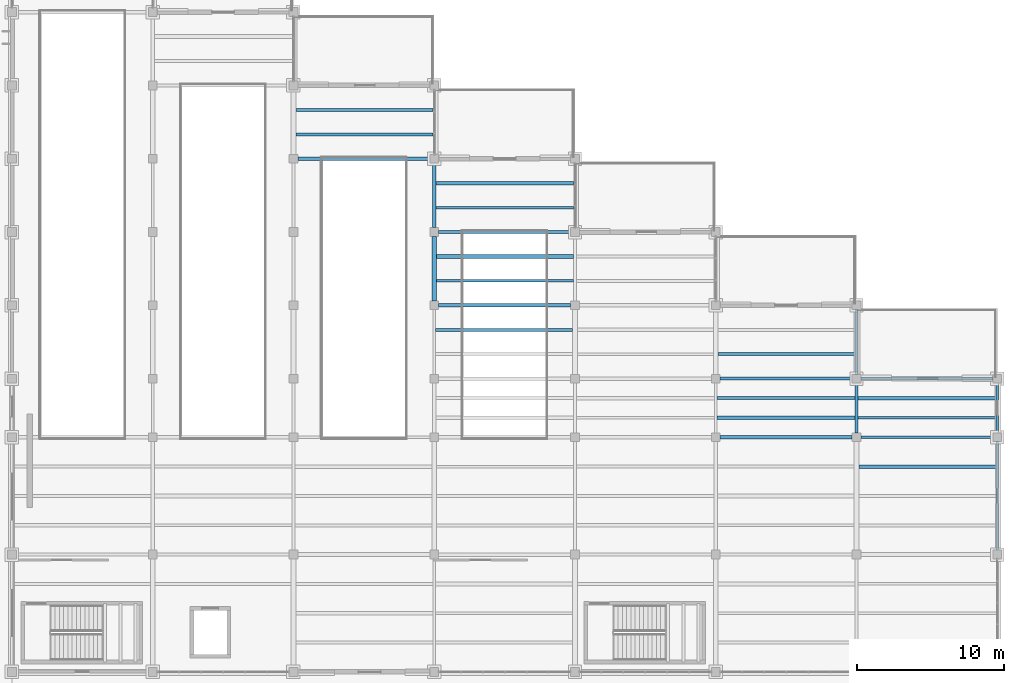
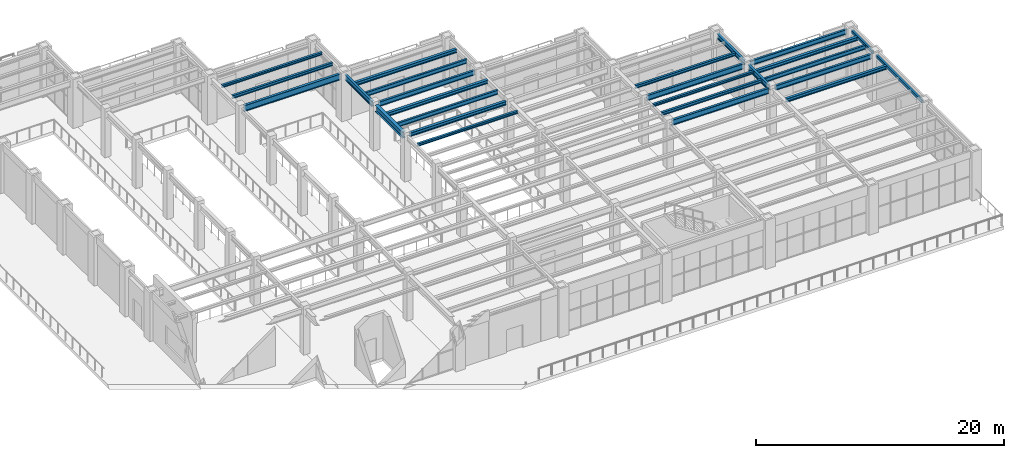
# One storey, part 41 of 83: 26 beams.
"""IFC4 building model written with IfcOpenShell, lengths in metres."""

from ifc_helpers import new_model, si_unit, direction, frame, origin, origin_2d, place, context, subcontext, project, spatial, hollow_rectangle, i_section, extrude, material, material_profile, profile_set, type_object, element, save


model = new_model("IFC4")

# Units and contexts
model_context = context("Model", 3, precision=1e-05, world=origin(), true_north=direction((0.0, 1.0)))
body_context = subcontext(model_context, "Body", "Model", "MODEL_VIEW")
ifc_project = project(units=[si_unit("LENGTHUNIT", "METRE"), si_unit("AREAUNIT", "SQUARE_METRE"), si_unit("VOLUMEUNIT", "CUBIC_METRE"), si_unit("PLANEANGLEUNIT", "RADIAN"), si_unit("MASSUNIT", "GRAM", prefix="KILO")], contexts=[model_context])

# Site, building, storey
site_placement = place(None, origin())
site = spatial("IfcSite", under=ifc_project, at=site_placement, CompositionType="ELEMENT")
building_placement = place(site_placement, origin())
building = spatial("IfcBuilding", under=site, at=building_placement, Name="Mavantir Sound Aquarium", CompositionType="ELEMENT")
storey_placement = place(building_placement, frame((0.0, 0.0, 10.5)))
storey = spatial("IfcBuildingStorey", under=building, at=storey_placement, Name="L02", CompositionType="ELEMENT", Elevation=10.5)

# Beams
ifc_material_1 = material(Name="Hollow Structural Steel ASTM A500 GrC", Category="steel")
ifc_material_profile_1 = material_profile(ifc_material_1, hollow_rectangle(XDim=0.199951171875, YDim=0.300048828125, WallThickness=0.012451171875, InnerFilletRadius=0.012451171875, OuterFilletRadius=0.02490234375, at=origin_2d()), Name="RHS 300X200X12.5")
ifc_profile_set_1 = profile_set([ifc_material_profile_1], Name="Hollow Structural Steel ASTM A500 GrC")
beam_type_1 = type_object("IfcBeamType", Name="BM-RHS300-E", PredefinedType="SPANDREL", material=ifc_profile_set_1)
beam_1_placement = place(storey_placement, frame((175.199951171875, 49.10009765625, 4.3359375), z_axis=(0.0, 1.0, 0.0), x_axis=(-1.0, 0.0, 0.0)))
element("IfcBeam", 1, at=beam_1_placement, inside=storey, type_object=beam_type_1, Name="L02 primary girder SS-R30 1601", PredefinedType="SPANDREL", context=body_context, shape_type="SweptSolid", body=[
    extrude(hollow_rectangle(XDim=0.199951171875, YDim=0.300048828125, WallThickness=0.012451171875, InnerFilletRadius=0.012451171875, OuterFilletRadius=0.02490234375, at=origin_2d()), origin(), (0.0, 0.0, 1.0), 7.39990234375),
])
beam_2_placement = place(storey_placement, frame((175.199951171875, 57.10009765625, 4.3359375), z_axis=(0.0, 1.0, 0.0), x_axis=(-1.0, 0.0, 0.0)))
element("IfcBeam", 2, at=beam_2_placement, inside=storey, type_object=beam_type_1, Name="L02 primary girder SS-R30 1602", PredefinedType="SPANDREL", context=body_context, shape_type="SweptSolid", body=[
    extrude(hollow_rectangle(XDim=0.199951171875, YDim=0.300048828125, WallThickness=0.012451171875, InnerFilletRadius=0.012451171875, OuterFilletRadius=0.02490234375, at=origin_2d()), origin(), (0.0, 0.0, 1.0), 3.39990234375),
])
ifc_material_2 = material(Name="Structural Steel ASTM A992 Gr50", Category="steel")
ifc_material_profile_2 = material_profile(ifc_material_2, i_section(OverallWidth=0.202880859375, OverallDepth=0.251953125, WebThickness=0.008056640625, FlangeThickness=0.013427734375, FilletRadius=0.011962890625, at=origin_2d()), Name="W250X58")
ifc_profile_set_2 = profile_set([ifc_material_profile_2], Name="Structural Steel ASTM A992 Gr50")
beam_type_2 = type_object("IfcBeamType", Name="BM-W250X58-I", PredefinedType="JOIST", material=ifc_profile_set_2)
beam_3_placement = place(storey_placement, frame((156.096923828125, 59.466796875, 4.360107421875), z_axis=(1.0, 0.0, 0.0), x_axis=(0.0, 1.0, 0.0)))
element("IfcBeam", 3, at=beam_3_placement, inside=storey, type_object=beam_type_2, Name="L02 secondary floor joist SJ-25 932", PredefinedType="JOIST", context=body_context, shape_type="SweptSolid", body=[
    extrude(i_section(OverallWidth=0.202880859375, OverallDepth=0.251953125, WebThickness=0.008056640625, FlangeThickness=0.013427734375, FilletRadius=0.011962890625, at=origin_2d()), origin(), (0.0, 0.0, 1.0), 9.39697265625),
])
beam_4_placement = place(storey_placement, frame((136.89697265625, 64.13330078125, 4.360107421875), z_axis=(1.0, 0.0, 0.0), x_axis=(0.0, 1.0, 0.0)))
element("IfcBeam", 4, at=beam_4_placement, inside=storey, type_object=beam_type_2, Name="L02 secondary floor joist SJ-25 936", PredefinedType="JOIST", context=body_context, shape_type="SweptSolid", body=[
    extrude(i_section(OverallWidth=0.202880859375, OverallDepth=0.251953125, WebThickness=0.008056640625, FlangeThickness=0.013427734375, FilletRadius=0.011962890625, at=origin_2d()), origin(), (0.0, 0.0, 1.0), 9.341064453125),
])
beam_5_placement = place(storey_placement, frame((127.362060546875, 79.13330078125, 4.360107421875), z_axis=(1.0, 0.0, 0.0), x_axis=(0.0, 1.0, 0.0)))
element("IfcBeam", 5, at=beam_5_placement, inside=storey, type_object=beam_type_2, Name="L02 secondary floor joist SJ-25 948", PredefinedType="JOIST", context=body_context, shape_type="SweptSolid", body=[
    extrude(i_section(OverallWidth=0.202880859375, OverallDepth=0.251953125, WebThickness=0.008056640625, FlangeThickness=0.013427734375, FilletRadius=0.011962890625, at=origin_2d()), origin(), (0.0, 0.0, 1.0), 9.3408203125),
])
ifc_material_profile_3 = material_profile(ifc_material_2, i_section(OverallWidth=0.205078125, OverallDepth=0.31005859375, WebThickness=0.009521484375, FlangeThickness=0.016357421875, FilletRadius=0.012939453125, at=origin_2d()), Name="W310X74")
ifc_profile_set_3 = profile_set([ifc_material_profile_3], Name="Structural Steel ASTM A992 Gr50")
beam_type_3 = type_object("IfcBeamType", Name="BM-W310X74-I", PredefinedType="JOIST", material=ifc_profile_set_3)
beam_6_placement = place(storey_placement, frame((156.096923828125, 58.13330078125, 4.3310546875), z_axis=(1.0, 0.0, 0.0), x_axis=(0.0, 1.0, 0.0)))
element("IfcBeam", 6, at=beam_6_placement, inside=storey, type_object=beam_type_3, Name="L02 secondary floor joist SJ-31 931", PredefinedType="JOIST", context=body_context, shape_type="SweptSolid", body=[
    extrude(i_section(OverallWidth=0.205078125, OverallDepth=0.31005859375, WebThickness=0.009521484375, FlangeThickness=0.016357421875, FilletRadius=0.012939453125, at=origin_2d()), origin(), (0.0, 0.0, 1.0), 9.39697265625),
])
for number, where, z_axis, x_axis, name in (
    (7, (156.162109375, 62.466796875, 4.3310546875), (1.0, 0.0, 0.0), (0.0, 1.0, 0.0), "L02 secondary floor joist SJ-31 939"),
    (8, (127.362060546875, 77.466796875, 4.3310546875), (1.0, 0.0, 0.0), (0.0, 1.0, 0.0), "L02 secondary floor joist SJ-31 947"),
):
    element("IfcBeam", number, at=place(storey_placement, frame(where, z_axis=z_axis, x_axis=x_axis)), inside=storey, type_object=beam_type_3, Name=name, PredefinedType="JOIST", context=body_context, shape_type="SweptSolid", body=[
        extrude(i_section(OverallWidth=0.205078125, OverallDepth=0.31005859375, WebThickness=0.009521484375, FlangeThickness=0.016357421875, FilletRadius=0.012939453125, at=origin_2d()), origin(), (0.0, 0.0, 1.0), 9.3408203125),
    ])
ifc_material_profile_4 = material_profile(ifc_material_2, i_section(OverallWidth=0.257080078125, OverallDepth=0.363037109375, WebThickness=0.012939453125, FlangeThickness=0.021728515625, FilletRadius=0.014892578125, at=origin_2d()), Name="W360X122")
ifc_profile_set_4 = profile_set([ifc_material_profile_4], Name="Structural Steel ASTM A992 Gr50")
beam_type_4 = type_object("IfcBeamType", Name="BM-W360X122-I", PredefinedType="BEAM", material=ifc_profile_set_4)
beam_7_placement = place(storey_placement, frame((137.10009765625, 65.800048828125, 4.304443359375), z_axis=(1.0, 0.0, 0.0), x_axis=(0.0, 1.0, 0.0)))
element("IfcBeam", 9, at=beam_7_placement, inside=storey, type_object=beam_type_4, Name="L02 primary beam SB-36A 1540", PredefinedType="BEAM", context=body_context, shape_type="SweptSolid", body=[
    extrude(i_section(OverallWidth=0.257080078125, OverallDepth=0.363037109375, WebThickness=0.012939453125, FlangeThickness=0.021728515625, FilletRadius=0.014892578125, at=origin_2d()), origin(), (0.0, 0.0, 1.0), 9.0),
])
ifc_material_profile_5 = material_profile(ifc_material_2, i_section(OverallWidth=0.25390625, OverallDepth=0.35302734375, WebThickness=0.009521484375, FlangeThickness=0.016357421875, FilletRadius=0.014892578125, at=origin_2d()), Name="W360X91")
ifc_profile_set_5 = profile_set([ifc_material_profile_5], Name="Structural Steel ASTM A992 Gr50")
beam_type_5 = type_object("IfcBeamType", Name="BM-W360X91-I", PredefinedType="JOIST", material=ifc_profile_set_5)
beam_8_placement = place(storey_placement, frame((165.761962890625, 54.800048828125, 4.3095703125), z_axis=(1.0, 0.0, 0.0), x_axis=(0.0, 1.0, 0.0)))
element("IfcBeam", 10, at=beam_8_placement, inside=storey, type_object=beam_type_5, Name="L02 secondary floor joist SJ-36 926", PredefinedType="JOIST", context=body_context, shape_type="SweptSolid", body=[
    extrude(i_section(OverallWidth=0.25390625, OverallDepth=0.35302734375, WebThickness=0.009521484375, FlangeThickness=0.016357421875, FilletRadius=0.014892578125, at=origin_2d()), origin(), (0.0, 0.0, 1.0), 9.338134765625),
])
beam_9_placement = place(storey_placement, frame((165.7060546875, 59.466796875, 4.3095703125), z_axis=(1.0, 0.0, 0.0), x_axis=(0.0, 1.0, 0.0)))
element("IfcBeam", 11, at=beam_9_placement, inside=storey, type_object=beam_type_5, Name="L02 secondary floor joist SJ-36 934", PredefinedType="JOIST", context=body_context, shape_type="SweptSolid", body=[
    extrude(i_section(OverallWidth=0.25390625, OverallDepth=0.35302734375, WebThickness=0.009521484375, FlangeThickness=0.016357421875, FilletRadius=0.014892578125, at=origin_2d()), origin(), (0.0, 0.0, 1.0), 9.39404296875),
])
beam_10_placement = place(storey_placement, frame((136.9619140625, 69.13330078125, 4.3095703125), z_axis=(1.0, 0.0, 0.0), x_axis=(0.0, 1.0, 0.0)))
element("IfcBeam", 12, at=beam_10_placement, inside=storey, type_object=beam_type_5, Name="L02 secondary floor joist SJ-36 942", PredefinedType="JOIST", context=body_context, shape_type="SweptSolid", body=[
    extrude(i_section(OverallWidth=0.25390625, OverallDepth=0.35302734375, WebThickness=0.009521484375, FlangeThickness=0.016357421875, FilletRadius=0.014892578125, at=origin_2d()), origin(), (0.0, 0.0, 1.0), 9.33203125),
])
beam_11_placement = place(storey_placement, frame((136.906005859375, 74.13330078125, 4.3095703125), z_axis=(1.0, 0.0, 0.0), x_axis=(0.0, 1.0, 0.0)))
element("IfcBeam", 13, at=beam_11_placement, inside=storey, type_object=beam_type_5, Name="L02 secondary floor joist SJ-36 946", PredefinedType="JOIST", context=body_context, shape_type="SweptSolid", body=[
    extrude(i_section(OverallWidth=0.25390625, OverallDepth=0.35302734375, WebThickness=0.009521484375, FlangeThickness=0.016357421875, FilletRadius=0.014892578125, at=origin_2d()), origin(), (0.0, 0.0, 1.0), 9.39697265625),
])
ifc_material_profile_6 = material_profile(ifc_material_2, i_section(OverallWidth=0.180908203125, OverallDepth=0.4169921875, WebThickness=0.010986328125, FlangeThickness=0.018310546875, FilletRadius=0.014892578125, at=origin_2d()), Name="W410X85")
ifc_profile_set_6 = profile_set([ifc_material_profile_6], Name="Structural Steel ASTM A992 Gr50")
beam_type_6 = type_object("IfcBeamType", Name="BM-W410X85-I", PredefinedType="JOIST", material=ifc_profile_set_6)
beam_12_placement = place(storey_placement, frame((165.7060546875, 58.13330078125, 4.277587890625), z_axis=(1.0, 0.0, 0.0), x_axis=(0.0, 1.0, 0.0)))
element("IfcBeam", 14, at=beam_12_placement, inside=storey, type_object=beam_type_6, Name="L02 secondary floor joist SJ-41 933", PredefinedType="JOIST", context=body_context, shape_type="SweptSolid", body=[
    extrude(i_section(OverallWidth=0.180908203125, OverallDepth=0.4169921875, WebThickness=0.010986328125, FlangeThickness=0.018310546875, FilletRadius=0.014892578125, at=origin_2d()), origin(), (0.0, 0.0, 1.0), 9.39404296875),
])
beam_13_placement = place(storey_placement, frame((136.9619140625, 67.466796875, 4.277587890625), z_axis=(1.0, 0.0, 0.0), x_axis=(0.0, 1.0, 0.0)))
element("IfcBeam", 15, at=beam_13_placement, inside=storey, type_object=beam_type_6, Name="L02 secondary floor joist SJ-41 941", PredefinedType="JOIST", context=body_context, shape_type="SweptSolid", body=[
    extrude(i_section(OverallWidth=0.180908203125, OverallDepth=0.4169921875, WebThickness=0.010986328125, FlangeThickness=0.018310546875, FilletRadius=0.014892578125, at=origin_2d()), origin(), (0.0, 0.0, 1.0), 9.33203125),
])
beam_14_placement = place(storey_placement, frame((136.906005859375, 72.466796875, 4.277587890625), z_axis=(1.0, 0.0, 0.0), x_axis=(0.0, 1.0, 0.0)))
element("IfcBeam", 16, at=beam_14_placement, inside=storey, type_object=beam_type_6, Name="L02 secondary floor joist SJ-41 945", PredefinedType="JOIST", context=body_context, shape_type="SweptSolid", body=[
    extrude(i_section(OverallWidth=0.180908203125, OverallDepth=0.4169921875, WebThickness=0.010986328125, FlangeThickness=0.018310546875, FilletRadius=0.014892578125, at=origin_2d()), origin(), (0.0, 0.0, 1.0), 9.39697265625),
])
ifc_material_profile_7 = material_profile(ifc_material_2, i_section(OverallWidth=0.194091796875, OverallDepth=0.468994140625, WebThickness=0.0126953125, FlangeThickness=0.0205078125, FilletRadius=0.01611328125, at=origin_2d()), Name="W460X106")
ifc_profile_set_7 = profile_set([ifc_material_profile_7], Name="Structural Steel ASTM A992 Gr50")
beam_type_7 = type_object("IfcBeamType", Name="BM-W460X106-I", PredefinedType="BEAM", material=ifc_profile_set_7)
for number, where, z_axis, x_axis, name in (
    (17, (165.89990234375, 56.800048828125, 4.25146484375), (1.0, 0.0, 0.0), (0.0, 1.0, 0.0), "L02 primary beam SB-46 1535"),
    (18, (165.89990234375, 60.800048828125, 4.25146484375), (1.0, 0.0, 0.0), (0.0, 1.0, 0.0), "L02 primary beam SB-46 1539"),
    (19, (137.10009765625, 70.800048828125, 4.25146484375), (1.0, 0.0, 0.0), (0.0, 1.0, 0.0), "L02 primary beam SB-46 1543"),
):
    element("IfcBeam", number, at=place(storey_placement, frame(where, z_axis=z_axis, x_axis=x_axis)), inside=storey, type_object=beam_type_7, Name=name, PredefinedType="BEAM", context=body_context, shape_type="SweptSolid", body=[
        extrude(i_section(OverallWidth=0.194091796875, OverallDepth=0.468994140625, WebThickness=0.0126953125, FlangeThickness=0.0205078125, FilletRadius=0.01611328125, at=origin_2d()), origin(), (0.0, 0.0, 1.0), 9.0),
    ])
beam_15_placement = place(storey_placement, frame((165.60009765625, 61.10009765625, 4.25146484375), z_axis=(0.0, 1.0, 0.0), x_axis=(-1.0, 0.0, 0.0)))
element("IfcBeam", 20, at=beam_15_placement, inside=storey, type_object=beam_type_7, Name="L02 primary girder SB-46 1599", PredefinedType="BEAM", context=body_context, shape_type="SweptSolid", body=[
    extrude(i_section(OverallWidth=0.194091796875, OverallDepth=0.468994140625, WebThickness=0.0126953125, FlangeThickness=0.0205078125, FilletRadius=0.01611328125, at=origin_2d()), origin(), (0.0, 0.0, 1.0), 4.39990234375),
])
ifc_material_profile_8 = material_profile(ifc_material_2, i_section(OverallWidth=0.2119140625, OverallDepth=0.5439453125, WebThickness=0.01318359375, FlangeThickness=0.021240234375, FilletRadius=0.01806640625, at=origin_2d()), Name="W530X123")
ifc_profile_set_8 = profile_set([ifc_material_profile_8], Name="Structural Steel ASTM A992 Gr50")
beam_type_8 = type_object("IfcBeamType", Name="BM-W530X123-I", PredefinedType="BEAM", material=ifc_profile_set_8)
for number, where, z_axis, x_axis, name in (
    (21, (156.300048828125, 56.800048828125, 4.214111328125), (1.0, 0.0, 0.0), (0.0, 1.0, 0.0), "L02 primary beam SB-53 1534"),
    (22, (156.300048828125, 60.800048828125, 4.214111328125), (1.0, 0.0, 0.0), (0.0, 1.0, 0.0), "L02 primary beam SB-53 1538"),
):
    element("IfcBeam", number, at=place(storey_placement, frame(where, z_axis=z_axis, x_axis=x_axis)), inside=storey, type_object=beam_type_8, Name=name, PredefinedType="BEAM", context=body_context, shape_type="SweptSolid", body=[
        extrude(i_section(OverallWidth=0.2119140625, OverallDepth=0.5439453125, WebThickness=0.01318359375, FlangeThickness=0.021240234375, FilletRadius=0.01806640625, at=origin_2d()), origin(), (0.0, 0.0, 1.0), 9.0),
    ])
beam_16_placement = place(storey_placement, frame((136.800048828125, 71.10009765625, 4.214111328125), z_axis=(0.0, 1.0, 0.0), x_axis=(-1.0, 0.0, 0.0)))
element("IfcBeam", 23, at=beam_16_placement, inside=storey, type_object=beam_type_8, Name="L02 primary girder SB-53 1583", PredefinedType="BEAM", context=body_context, shape_type="SweptSolid", body=[
    extrude(i_section(OverallWidth=0.2119140625, OverallDepth=0.5439453125, WebThickness=0.01318359375, FlangeThickness=0.021240234375, FilletRadius=0.01806640625, at=origin_2d()), origin(), (0.0, 0.0, 1.0), 4.39990234375),
])
beam_17_placement = place(storey_placement, frame((165.60009765625, 57.10009765625, 4.214111328125), z_axis=(0.0, 1.0, 0.0), x_axis=(-1.0, 0.0, 0.0)))
element("IfcBeam", 24, at=beam_17_placement, inside=storey, type_object=beam_type_8, Name="L02 primary girder SB-53 1598", PredefinedType="BEAM", context=body_context, shape_type="SweptSolid", body=[
    extrude(i_section(OverallWidth=0.2119140625, OverallDepth=0.5439453125, WebThickness=0.01318359375, FlangeThickness=0.021240234375, FilletRadius=0.01806640625, at=origin_2d()), origin(), (0.0, 0.0, 1.0), 3.39990234375),
])
ifc_material_profile_9 = material_profile(ifc_material_2, i_section(OverallWidth=0.22900390625, OverallDepth=0.612060546875, WebThickness=0.011962890625, FlangeThickness=0.01953125, FilletRadius=0.01904296875, at=origin_2d()), Name="W610X125")
ifc_profile_set_9 = profile_set([ifc_material_profile_9], Name="Structural Steel ASTM A992 Gr50")
beam_type_9 = type_object("IfcBeamType", Name="BM-W610X125-I", PredefinedType="BEAM", material=ifc_profile_set_9)
beam_18_placement = place(storey_placement, frame((127.5, 75.800048828125, 4.179931640625), z_axis=(1.0, 0.0, 0.0), x_axis=(0.0, 1.0, 0.0)))
element("IfcBeam", 25, at=beam_18_placement, inside=storey, type_object=beam_type_9, Name="L02 primary beam SB-61B 1545", PredefinedType="BEAM", context=body_context, shape_type="SweptSolid", body=[
    extrude(i_section(OverallWidth=0.22900390625, OverallDepth=0.612060546875, WebThickness=0.011962890625, FlangeThickness=0.01953125, FilletRadius=0.01904296875, at=origin_2d()), origin(), (0.0, 0.0, 1.0), 9.0),
])
ifc_material_profile_10 = material_profile(ifc_material_2, i_section(OverallWidth=0.323974609375, OverallDepth=0.611083984375, WebThickness=0.0126953125, FlangeThickness=0.01904296875, FilletRadius=0.01904296875, at=origin_2d()), Name="W610X155")
ifc_profile_set_10 = profile_set([ifc_material_profile_10], Name="Structural Steel ASTM A992 Gr50")
beam_type_10 = type_object("IfcBeamType", Name="BM-W610X155-I", PredefinedType="BEAM", material=ifc_profile_set_10)
beam_19_placement = place(storey_placement, frame((136.800048828125, 66.10009765625, 4.180419921875), z_axis=(0.0, 1.0, 0.0), x_axis=(-1.0, 0.0, 0.0)))
element("IfcBeam", 26, at=beam_19_placement, inside=storey, type_object=beam_type_10, Name="L02 primary girder SB-61A 1582", PredefinedType="BEAM", context=body_context, shape_type="SweptSolid", body=[
    extrude(i_section(OverallWidth=0.323974609375, OverallDepth=0.611083984375, WebThickness=0.0126953125, FlangeThickness=0.01904296875, FilletRadius=0.01904296875, at=origin_2d()), origin(), (0.0, 0.0, 1.0), 4.39990234375),
])

save(model, "model.ifc")
